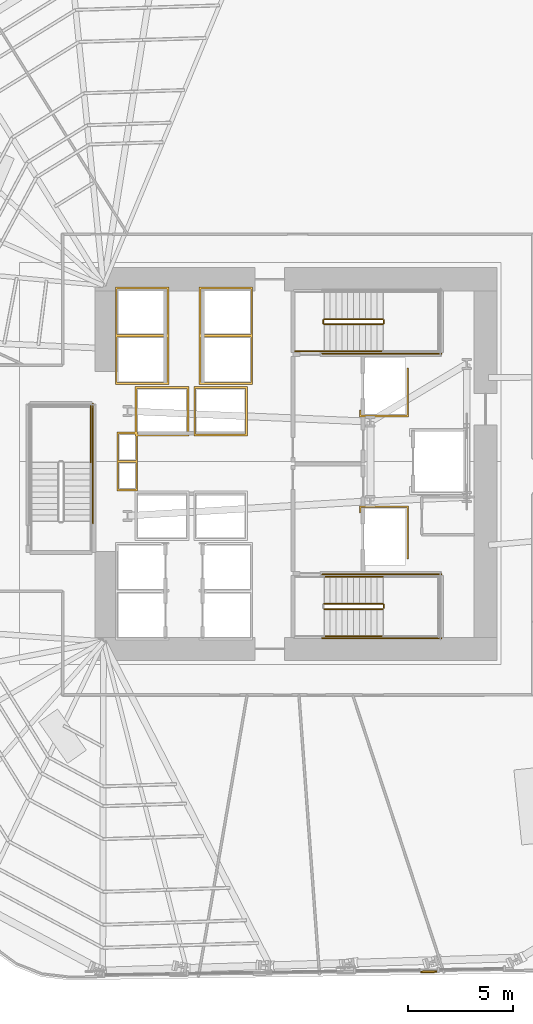
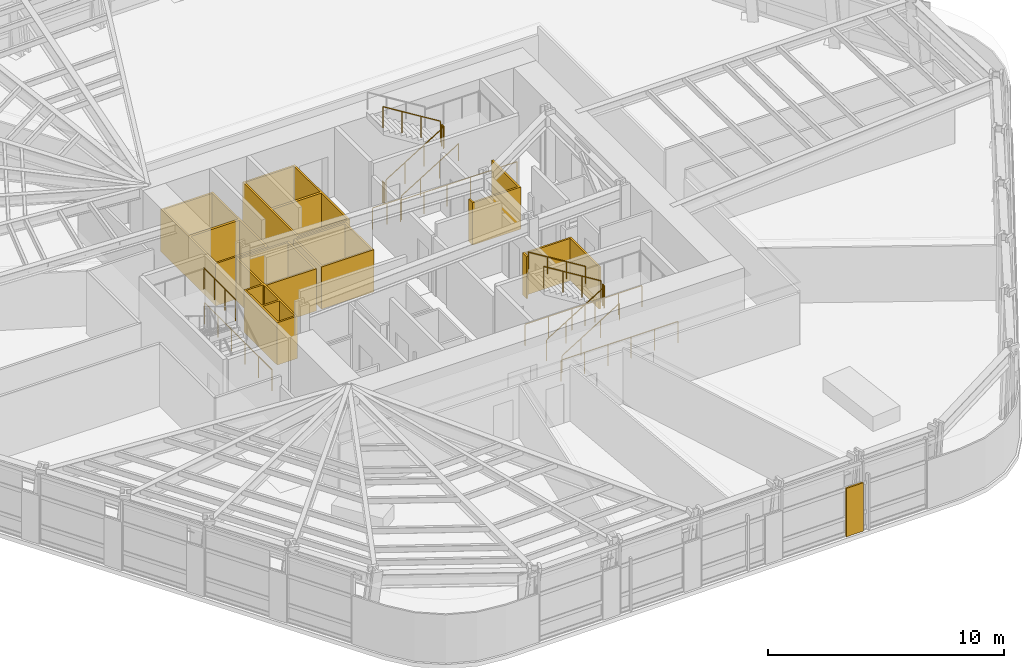
# One storey, part 12 of 15: 16 railings, 7 coverings.
"""IFC4 building model written with IfcOpenShell, lengths in metres."""

from ifc_helpers import new_model, si_unit, direction, frame, origin, origin_2d, place, context, subcontext, project, spatial, polyline, circle, outline, extrude, material, layer, layer_set, type_object, element, save


model = new_model("IFC4")

# Units and contexts
model_context = context("Model", 3, precision=1e-05, world=origin(), true_north=direction((0.0, 1.0)))
body_context = subcontext(model_context, "Body", "Model", "MODEL_VIEW")
ifc_project = project(units=[si_unit("LENGTHUNIT", "METRE"), si_unit("AREAUNIT", "SQUARE_METRE"), si_unit("VOLUMEUNIT", "CUBIC_METRE"), si_unit("PLANEANGLEUNIT", "RADIAN"), si_unit("MASSUNIT", "GRAM", prefix="KILO")], contexts=[model_context])

# Site, building, storey
site_placement = place(None, origin())
site = spatial("IfcSite", under=ifc_project, at=site_placement, CompositionType="ELEMENT")
building_placement = place(site_placement, origin())
building = spatial("IfcBuilding", under=site, at=building_placement, Name="Valkerne Bourse Tower", CompositionType="ELEMENT")
storey_placement = place(building_placement, frame((0.0, 0.0, 27.800048828125)))
storey = spatial("IfcBuildingStorey", under=building, at=storey_placement, Name="L06", CompositionType="ELEMENT", Elevation=27.800048828125)

# Coverings
ifc_material_1 = material(Name="Bronze Anodised Aluminium AA 6063-T6", Category="aluminium")
ifc_layer_1 = layer(ifc_material_1, 0.06005859375)
ifc_layer_set_1 = layer_set([ifc_layer_1], Name="Bronze Anodised Aluminium AA 6063-T6")
covering_type_1 = type_object("IfcCoveringType", Name="COV-CRN-ALUM", PredefinedType="CLADDING", material=ifc_layer_set_1)
covering_1_placement = place(storey_placement, origin())
element("IfcCovering", 1, at=covering_1_placement, inside=storey, type_object=covering_type_1, Name="L06 Wind-Shaped Corner Aluminium Cladding 02", PredefinedType="CLADDING", context=body_context, shape_type="SweptSolid", body=[
    extrude(outline(polyline([(52.75830078125, 2.580322265625), (52.757080078125, 2.660400390625), (53.596923828125, 2.6728515625), (53.59814453125, 2.5927734375), (52.75830078125, 2.580322265625)])), origin(), (0.0, 0.0, 1.0), 2.5),
])
ifc_material_2 = material(Name="Gypsum Shaftwall Liner Board", Category="gypsum")
ifc_layer_2 = layer(ifc_material_2, 0.080078125)
ifc_layer_set_2 = layer_set([ifc_layer_2], Name="Gypsum Shaftwall Liner Board")
covering_type_2 = type_object("IfcCoveringType", Name="COV-SHF-CLAD", PredefinedType="CLADDING", material=ifc_layer_set_2)
covering_2_placement = place(storey_placement, origin())
element("IfcCovering", 2, at=covering_2_placement, inside=storey, type_object=covering_type_2, Name="L06 Hoistway & Riser Shaftwall Liner 04", PredefinedType="CLADDING", context=body_context, shape_type="SweptSolid", body=[
    extrude(outline(polyline([(38.239990234375, 28.409912109375), (39.1201171875, 28.409912109375), (39.1201171875, 30.580078125), (41.679931640625, 30.580078125), (41.679931640625, 28.219970703125), (39.239990234375, 28.219970703125), (39.239990234375, 27.0400390625), (39.239990234375, 26.9599609375), (39.239990234375, 25.590087890625), (38.239990234375, 25.590087890625), (38.239990234375, 26.9599609375), (38.239990234375, 27.0400390625), (38.239990234375, 28.409912109375)]), holes=[polyline([(39.2099609375, 30.489990234375), (39.2099609375, 28.409912109375), (39.239990234375, 28.409912109375), (39.239990234375, 28.31005859375), (41.590087890625, 28.31005859375), (41.590087890625, 30.489990234375), (39.2099609375, 30.489990234375)]), polyline([(38.330078125, 26.949951171875), (38.330078125, 25.679931640625), (39.14990234375, 25.679931640625), (39.14990234375, 26.949951171875), (38.330078125, 26.949951171875)]), polyline([(39.1201171875, 28.219970703125), (39.1201171875, 28.320068359375), (38.330078125, 28.320068359375), (38.330078125, 27.050048828125), (39.14990234375, 27.050048828125), (39.14990234375, 28.219970703125), (39.1201171875, 28.219970703125)])]), origin(), (0.0, 0.0, 1.0), 2.179931640625),
])
covering_3_placement = place(storey_placement, origin())
element("IfcCovering", 3, at=covering_3_placement, inside=storey, type_object=covering_type_2, Name="L06 Hoistway & Riser Shaftwall Liner 05", PredefinedType="CLADDING", context=body_context, shape_type="SweptSolid", body=[
    extrude(outline(polyline([(38.169921875, 35.330078125), (40.72998046875, 35.330078125), (40.72998046875, 33.030029296875), (40.72998046875, 32.969970703125), (40.72998046875, 30.669921875), (38.169921875, 30.669921875), (38.169921875, 32.969970703125), (38.169921875, 33.030029296875), (38.169921875, 35.330078125)]), holes=[polyline([(38.260009765625, 32.93994140625), (38.260009765625, 30.760009765625), (40.639892578125, 30.760009765625), (40.639892578125, 32.93994140625), (38.260009765625, 32.93994140625)]), polyline([(38.260009765625, 35.239990234375), (38.260009765625, 33.06005859375), (40.639892578125, 33.06005859375), (40.639892578125, 35.239990234375), (38.260009765625, 35.239990234375)])]), origin(), (0.0, 0.0, 1.0), 2.179931640625),
])
covering_4_placement = place(storey_placement, origin())
element("IfcCovering", 4, at=covering_4_placement, inside=storey, type_object=covering_type_2, Name="L06 Hoistway & Riser Shaftwall Liner 07", PredefinedType="CLADDING", context=body_context, shape_type="SweptSolid", body=[
    extrude(outline(polyline([(52.179931640625, 22.35009765625), (52.090087890625, 22.35009765625), (52.090087890625, 24.7900390625), (49.909912109375, 24.7900390625), (49.909912109375, 24.560791015625), (49.869384765625, 24.550537109375), (49.827880859375, 24.53564453125), (49.820068359375, 24.531982421875), (49.820068359375, 24.8798828125), (52.179931640625, 24.8798828125), (52.179931640625, 22.35009765625)])), origin(), (0.0, 0.0, 1.0), 2.179931640625),
])
covering_5_placement = place(storey_placement, origin())
element("IfcCovering", 5, at=covering_5_placement, inside=storey, type_object=covering_type_2, Name="L06 Hoistway & Riser Shaftwall Liner 09", PredefinedType="CLADDING", context=body_context, shape_type="SweptSolid", body=[
    extrude(outline(polyline([(44.47998046875, 28.219970703125), (41.919921875, 28.219970703125), (41.919921875, 30.580078125), (44.47998046875, 30.580078125), (44.47998046875, 28.219970703125)]), holes=[polyline([(42.010009765625, 30.489990234375), (42.010009765625, 28.31005859375), (44.389892578125, 28.31005859375), (44.389892578125, 30.489990234375), (42.010009765625, 30.489990234375)])]), origin(), (0.0, 0.0, 1.0), 2.179931640625),
])
covering_6_placement = place(storey_placement, origin())
element("IfcCovering", 6, at=covering_6_placement, inside=storey, type_object=covering_type_2, Name="L06 Hoistway & Riser Shaftwall Liner 10", PredefinedType="CLADDING", context=body_context, shape_type="SweptSolid", body=[
    extrude(outline(polyline([(49.820068359375, 29.1201171875), (49.820068359375, 29.468017578125), (49.827880859375, 29.46435546875), (49.869384765625, 29.449462890625), (49.909912109375, 29.439208984375), (49.909912109375, 29.2099609375), (52.090087890625, 29.2099609375), (52.090087890625, 31.449951171875), (52.179931640625, 31.449951171875), (52.179931640625, 29.1201171875), (49.820068359375, 29.1201171875)])), origin(), (0.0, 0.0, 1.0), 2.179931640625),
])
covering_7_placement = place(storey_placement, origin())
element("IfcCovering", 7, at=covering_7_placement, inside=storey, type_object=covering_type_2, Name="L06 Hoistway & Riser Shaftwall Liner 11", PredefinedType="CLADDING", context=body_context, shape_type="SweptSolid", body=[
    extrude(outline(polyline([(44.72998046875, 35.330078125), (44.72998046875, 33.030029296875), (44.72998046875, 32.969970703125), (44.72998046875, 30.669921875), (42.169921875, 30.669921875), (42.169921875, 32.969970703125), (42.169921875, 33.030029296875), (42.169921875, 35.330078125), (44.72998046875, 35.330078125)]), holes=[polyline([(42.260009765625, 30.760009765625), (44.639892578125, 30.760009765625), (44.639892578125, 32.93994140625), (42.260009765625, 32.93994140625), (42.260009765625, 30.760009765625)]), polyline([(42.260009765625, 33.06005859375), (44.639892578125, 33.06005859375), (44.639892578125, 35.239990234375), (42.260009765625, 35.239990234375), (42.260009765625, 33.06005859375)])]), origin(), (0.0, 0.0, 1.0), 2.179931640625),
])

# Railings
ifc_material_3 = material(Name="Galvanised Painted Steel", Category="steel")
railing_type_1 = type_object("IfcRailingType", Name="RLG-ST-GUARD-1120", PredefinedType="GUARDRAIL", material=ifc_material_3)
railing_1_placement = place(storey_placement, frame((48.14990234375, 19.949951171875, 0.172607421875)))
element("IfcRailing", 8, at=railing_1_placement, inside=storey, type_object=railing_type_1, Name="L06 ST-1 stair guard 1", PredefinedType="GUARDRAIL", context=body_context, shape_type="SweptSolid", body=[
    extrude(circle(Radius=0.02392578125, at=origin_2d()), frame((0.0, 0.0, 1.09619140625), z_axis=(0.851089632645, 0.0, 0.525020415988), x_axis=(0.0, 1.0, 0.0)), (0.0, 0.0, 1.0), 3.2900390625),
    extrude(circle(Radius=0.02099609375, at=origin_2d()), origin(), (0.0, 0.0, 1.0), 1.072021484375),
    extrude(circle(Radius=0.02099609375, at=origin_2d()), frame((0.933349609375, 0.0, 0.57568359375)), (0.0, 0.0, 1.0), 1.072021484375),
    extrude(circle(Radius=0.02099609375, at=origin_2d()), frame((1.86669921875, 0.0, 1.151611328125)), (0.0, 0.0, 1.0), 1.072021484375),
    extrude(circle(Radius=0.02099609375, at=origin_2d()), frame((2.800048828125, 0.0, 1.727294921875)), (0.0, 0.0, 1.0), 1.072021484375),
])
railing_2_placement = place(storey_placement, frame((51.0, 20.0, 1.89990234375)))
element("IfcRailing", 9, at=railing_2_placement, inside=storey, type_object=railing_type_1, Name="L06 ST-1 stair guard 2", PredefinedType="GUARDRAIL", context=body_context, shape_type="SweptSolid", body=[
    extrude(circle(Radius=0.02392578125, at=origin_2d()), frame((0.0, 0.0, 1.09619140625), z_axis=(0.0, 1.0, 0.0), x_axis=(-1.0, 0.0, 0.0)), (0.0, 0.0, 1.0), 0.14990234375),
    extrude(circle(Radius=0.02099609375, at=origin_2d()), origin(), (0.0, 0.0, 1.0), 1.072021484375),
    extrude(circle(Radius=0.02099609375, at=origin_2d()), frame((0.0, 0.14990234375, 0.0)), (0.0, 0.0, 1.0), 1.072021484375),
])
railing_3_placement = place(storey_placement, frame((50.949951171875, 20.199951171875, 2.07275390625)))
element("IfcRailing", 10, at=railing_3_placement, inside=storey, type_object=railing_type_1, Name="L06 ST-1 stair guard 6", PredefinedType="GUARDRAIL", context=body_context, shape_type="SweptSolid", body=[
    extrude(circle(Radius=0.02392578125, at=origin_2d()), frame((0.0, 0.0, 1.09619140625), z_axis=(-0.851089632645, 0.0, 0.525020415988), x_axis=(0.0, -1.0, 0.0)), (0.0, 0.0, 1.0), 3.2900390625),
    extrude(circle(Radius=0.02099609375, at=origin_2d()), origin(), (0.0, 0.0, 1.0), 1.072021484375),
    extrude(circle(Radius=0.02099609375, at=origin_2d()), frame((-0.933349609375, 0.0, 0.57568359375)), (0.0, 0.0, 1.0), 1.072021484375),
    extrude(circle(Radius=0.02099609375, at=origin_2d()), frame((-1.86669921875, 0.0, 1.151611328125)), (0.0, 0.0, 1.0), 1.072021484375),
    extrude(circle(Radius=0.02099609375, at=origin_2d()), frame((-2.800048828125, 0.0, 1.727294921875)), (0.0, 0.0, 1.0), 1.072021484375),
])
for number, where, name in (
    (11, (48.050048828125, 18.550048828125, 0.0), "L06 ST-1 stair guard 10"),
    (12, (48.050048828125, 21.60009765625, 0.0), "L06 ST-1 stair guard 11"),
):
    element("IfcRailing", number, at=place(storey_placement, frame(where)), inside=storey, type_object=railing_type_1, Name=name, PredefinedType="GUARDRAIL", context=body_context, shape_type="SweptSolid", body=[
        extrude(circle(Radius=0.02392578125, at=origin_2d()), frame((0.0, 0.0, 1.09619140625), z_axis=(1.0, 0.0, 0.0), x_axis=(0.0, 1.0, 0.0)), (0.0, 0.0, 1.0), 5.699951171875),
        extrude(circle(Radius=0.02099609375, at=origin_2d()), origin(), (0.0, 0.0, 1.0), 1.072021484375),
        extrude(circle(Radius=0.02099609375, at=origin_2d()), frame((1.139892578125, 0.0, 0.0)), (0.0, 0.0, 1.0), 1.072021484375),
        extrude(circle(Radius=0.02099609375, at=origin_2d()), frame((2.280029296875, 0.0, 0.0)), (0.0, 0.0, 1.0), 1.072021484375),
        extrude(circle(Radius=0.02099609375, at=origin_2d()), frame((3.419921875, 0.0, 0.0)), (0.0, 0.0, 1.0), 1.072021484375),
        extrude(circle(Radius=0.02099609375, at=origin_2d()), frame((4.56005859375, 0.0, 0.0)), (0.0, 0.0, 1.0), 1.072021484375),
        extrude(circle(Radius=0.02099609375, at=origin_2d()), frame((5.699951171875, 0.0, 0.0)), (0.0, 0.0, 1.0), 1.072021484375),
    ])
railing_4_placement = place(storey_placement, frame((48.14990234375, 33.550048828125, 0.172607421875)))
element("IfcRailing", 13, at=railing_4_placement, inside=storey, type_object=railing_type_1, Name="L06 ST-2 stair guard 1", PredefinedType="GUARDRAIL", context=body_context, shape_type="SweptSolid", body=[
    extrude(circle(Radius=0.02392578125, at=origin_2d()), frame((0.0, 0.0, 1.09619140625), z_axis=(0.851089632645, 0.0, 0.525020415988), x_axis=(0.0, 1.0, 0.0)), (0.0, 0.0, 1.0), 3.2900390625),
    extrude(circle(Radius=0.02099609375, at=origin_2d()), origin(), (0.0, 0.0, 1.0), 1.072021484375),
    extrude(circle(Radius=0.02099609375, at=origin_2d()), frame((0.933349609375, 0.0, 0.57568359375)), (0.0, 0.0, 1.0), 1.072021484375),
    extrude(circle(Radius=0.02099609375, at=origin_2d()), frame((1.86669921875, 0.0, 1.151611328125)), (0.0, 0.0, 1.0), 1.072021484375),
    extrude(circle(Radius=0.02099609375, at=origin_2d()), frame((2.800048828125, 0.0, 1.727294921875)), (0.0, 0.0, 1.0), 1.072021484375),
])
railing_5_placement = place(storey_placement, frame((51.0, 33.60009765625, 1.89990234375)))
element("IfcRailing", 14, at=railing_5_placement, inside=storey, type_object=railing_type_1, Name="L06 ST-2 stair guard 2", PredefinedType="GUARDRAIL", context=body_context, shape_type="SweptSolid", body=[
    extrude(circle(Radius=0.02392578125, at=origin_2d()), frame((0.0, 0.0, 1.09619140625), z_axis=(0.0, 1.0, 0.0), x_axis=(-1.0, 0.0, 0.0)), (0.0, 0.0, 1.0), 0.14990234375),
    extrude(circle(Radius=0.02099609375, at=origin_2d()), origin(), (0.0, 0.0, 1.0), 1.072021484375),
    extrude(circle(Radius=0.02099609375, at=origin_2d()), frame((0.0, 0.14990234375, 0.0)), (0.0, 0.0, 1.0), 1.072021484375),
])
railing_6_placement = place(storey_placement, frame((50.949951171875, 33.800048828125, 2.07275390625)))
element("IfcRailing", 15, at=railing_6_placement, inside=storey, type_object=railing_type_1, Name="L06 ST-2 stair guard 6", PredefinedType="GUARDRAIL", context=body_context, shape_type="SweptSolid", body=[
    extrude(circle(Radius=0.02392578125, at=origin_2d()), frame((0.0, 0.0, 1.09619140625), z_axis=(-0.851089632645, 0.0, 0.525020415988), x_axis=(0.0, -1.0, 0.0)), (0.0, 0.0, 1.0), 3.2900390625),
    extrude(circle(Radius=0.02099609375, at=origin_2d()), origin(), (0.0, 0.0, 1.0), 1.072021484375),
    extrude(circle(Radius=0.02099609375, at=origin_2d()), frame((-0.933349609375, 0.0, 0.57568359375)), (0.0, 0.0, 1.0), 1.072021484375),
    extrude(circle(Radius=0.02099609375, at=origin_2d()), frame((-1.86669921875, 0.0, 1.151611328125)), (0.0, 0.0, 1.0), 1.072021484375),
    extrude(circle(Radius=0.02099609375, at=origin_2d()), frame((-2.800048828125, 0.0, 1.727294921875)), (0.0, 0.0, 1.0), 1.072021484375),
])
railing_7_placement = place(storey_placement, frame((48.10009765625, 33.60009765625, 0.0)))
element("IfcRailing", 16, at=railing_7_placement, inside=storey, type_object=railing_type_1, Name="L06 ST-2 stair guard 7", PredefinedType="GUARDRAIL", context=body_context, shape_type="SweptSolid", body=[
    extrude(circle(Radius=0.02392578125, at=origin_2d()), frame((0.0, 0.0, 1.09619140625), z_axis=(0.0, 1.0, 0.0), x_axis=(-1.0, 0.0, 0.0)), (0.0, 0.0, 1.0), 0.14990234375),
    extrude(circle(Radius=0.02099609375, at=origin_2d()), origin(), (0.0, 0.0, 1.0), 1.072021484375),
    extrude(circle(Radius=0.02099609375, at=origin_2d()), frame((0.0, 0.14990234375, 0.0)), (0.0, 0.0, 1.0), 1.072021484375),
])
railing_8_placement = place(storey_placement, frame((46.75, 32.25, 0.0)))
element("IfcRailing", 17, at=railing_8_placement, inside=storey, type_object=railing_type_1, Name="L06 ST-2 stair guard 8", PredefinedType="GUARDRAIL", context=body_context, shape_type="SweptSolid", body=[
    extrude(circle(Radius=0.02392578125, at=origin_2d()), frame((0.0, 0.0, 1.09619140625), z_axis=(1.0, 0.0, 0.0), x_axis=(0.0, 1.0, 0.0)), (0.0, 0.0, 1.0), 1.39990234375),
    extrude(circle(Radius=0.02099609375, at=origin_2d()), origin(), (0.0, 0.0, 1.0), 1.072021484375),
    extrude(circle(Radius=0.02099609375, at=origin_2d()), frame((0.699951171875, 0.0, 0.0)), (0.0, 0.0, 1.0), 1.072021484375),
    extrude(circle(Radius=0.02099609375, at=origin_2d()), frame((1.39990234375, 0.0, 0.0)), (0.0, 0.0, 1.0), 1.072021484375),
])
railing_9_placement = place(storey_placement, frame((48.050048828125, 32.14990234375, 0.0)))
element("IfcRailing", 18, at=railing_9_placement, inside=storey, type_object=railing_type_1, Name="L06 ST-2 stair guard 10", PredefinedType="GUARDRAIL", context=body_context, shape_type="SweptSolid", body=[
    extrude(circle(Radius=0.02392578125, at=origin_2d()), frame((0.0, 0.0, 1.09619140625), z_axis=(1.0, 0.0, 0.0), x_axis=(0.0, 1.0, 0.0)), (0.0, 0.0, 1.0), 5.699951171875),
    extrude(circle(Radius=0.02099609375, at=origin_2d()), origin(), (0.0, 0.0, 1.0), 1.072021484375),
    extrude(circle(Radius=0.02099609375, at=origin_2d()), frame((1.139892578125, 0.0, 0.0)), (0.0, 0.0, 1.0), 1.072021484375),
    extrude(circle(Radius=0.02099609375, at=origin_2d()), frame((2.280029296875, 0.0, 0.0)), (0.0, 0.0, 1.0), 1.072021484375),
    extrude(circle(Radius=0.02099609375, at=origin_2d()), frame((3.419921875, 0.0, 0.0)), (0.0, 0.0, 1.0), 1.072021484375),
    extrude(circle(Radius=0.02099609375, at=origin_2d()), frame((4.56005859375, 0.0, 0.0)), (0.0, 0.0, 1.0), 1.072021484375),
    extrude(circle(Radius=0.02099609375, at=origin_2d()), frame((5.699951171875, 0.0, 0.0)), (0.0, 0.0, 1.0), 1.072021484375),
])
railing_10_placement = place(storey_placement, frame((37.0, 26.949951171875, 1.89990234375)))
element("IfcRailing", 19, at=railing_10_placement, inside=storey, type_object=railing_type_1, Name="L06 ST-3 stair guard 3", PredefinedType="GUARDRAIL", context=body_context, shape_type="SweptSolid", body=[
    extrude(circle(Radius=0.02392578125, at=origin_2d()), frame((0.0, 0.0, 1.09619140625), z_axis=(0.0, 1.0, 0.0), x_axis=(-1.0, 0.0, 0.0)), (0.0, 0.0, 1.0), 2.699951171875),
    extrude(circle(Radius=0.02099609375, at=origin_2d()), origin(), (0.0, 0.0, 1.0), 1.072021484375),
    extrude(circle(Radius=0.02099609375, at=origin_2d()), frame((0.0, 0.89990234375, 0.0)), (0.0, 0.0, 1.0), 1.072021484375),
    extrude(circle(Radius=0.02099609375, at=origin_2d()), frame((0.0, 1.800048828125, 0.0)), (0.0, 0.0, 1.0), 1.072021484375),
    extrude(circle(Radius=0.02099609375, at=origin_2d()), frame((0.0, 2.699951171875, 0.0)), (0.0, 0.0, 1.0), 1.072021484375),
])
railing_11_placement = place(storey_placement, frame((37.10009765625, 24.050048828125, 0.0)))
element("IfcRailing", 20, at=railing_11_placement, inside=storey, type_object=railing_type_1, Name="L06 ST-3 stair guard 10", PredefinedType="GUARDRAIL", context=body_context, shape_type="SweptSolid", body=[
    extrude(circle(Radius=0.02392578125, at=origin_2d()), frame((0.0, 0.0, 1.09619140625), z_axis=(0.0, 1.0, 0.0), x_axis=(-1.0, 0.0, 0.0)), (0.0, 0.0, 1.0), 5.699951171875),
    extrude(circle(Radius=0.02099609375, at=origin_2d()), origin(), (0.0, 0.0, 1.0), 1.072021484375),
    extrude(circle(Radius=0.02099609375, at=origin_2d()), frame((0.0, 1.139892578125, 0.0)), (0.0, 0.0, 1.0), 1.072021484375),
    extrude(circle(Radius=0.02099609375, at=origin_2d()), frame((0.0, 2.280029296875, 0.0)), (0.0, 0.0, 1.0), 1.072021484375),
    extrude(circle(Radius=0.02099609375, at=origin_2d()), frame((0.0, 3.419921875, 0.0)), (0.0, 0.0, 1.0), 1.072021484375),
    extrude(circle(Radius=0.02099609375, at=origin_2d()), frame((0.0, 4.56005859375, 0.0)), (0.0, 0.0, 1.0), 1.072021484375),
    extrude(circle(Radius=0.02099609375, at=origin_2d()), frame((0.0, 5.699951171875, 0.0)), (0.0, 0.0, 1.0), 1.072021484375),
])
ifc_material_4 = material(Name="Stainless Steel AISI 316", Category="steel")
railing_type_2 = type_object("IfcRailingType", Name="RLG-ST-HANDRAIL-900", PredefinedType="HANDRAIL", material=ifc_material_4)
railing_12_placement = place(storey_placement, frame((48.14990234375, 18.64990234375, 0.345458984375)))
element("IfcRailing", 21, at=railing_12_placement, inside=storey, type_object=railing_type_2, Name="L06 ST-1 stair handrail 1", PredefinedType="HANDRAIL", context=body_context, shape_type="SweptSolid", body=[
    extrude(circle(Radius=0.02392578125, at=origin_2d()), frame((0.0, 0.0, 0.8759765625), z_axis=(0.851089632645, 0.0, 0.525020415988), x_axis=(0.0, 1.0, 0.0)), (0.0, 0.0, 1.0), 3.2900390625),
    extrude(circle(Radius=0.02099609375, at=origin_2d()), origin(), (0.0, 0.0, 1.0), 0.851806640625),
    extrude(circle(Radius=0.02099609375, at=origin_2d()), frame((0.933349609375, 0.0, 0.57568359375)), (0.0, 0.0, 1.0), 0.851806640625),
    extrude(circle(Radius=0.02099609375, at=origin_2d()), frame((1.86669921875, 0.0, 1.151611328125)), (0.0, 0.0, 1.0), 0.851806640625),
    extrude(circle(Radius=0.02099609375, at=origin_2d()), frame((2.800048828125, 0.0, 1.727294921875)), (0.0, 0.0, 1.0), 0.851806640625),
])
railing_13_placement = place(storey_placement, frame((50.949951171875, 21.5, 2.245361328125)))
element("IfcRailing", 22, at=railing_13_placement, inside=storey, type_object=railing_type_2, Name="L06 ST-1 stair handrail 2", PredefinedType="HANDRAIL", context=body_context, shape_type="SweptSolid", body=[
    extrude(circle(Radius=0.02392578125, at=origin_2d()), frame((0.0, 0.0, 0.8759765625), z_axis=(-0.851089632645, 0.0, 0.525020415988), x_axis=(0.0, -1.0, 0.0)), (0.0, 0.0, 1.0), 3.2900390625),
    extrude(circle(Radius=0.02099609375, at=origin_2d()), origin(), (0.0, 0.0, 1.0), 0.851806640625),
    extrude(circle(Radius=0.02099609375, at=origin_2d()), frame((-0.933349609375, 0.0, 0.57568359375)), (0.0, 0.0, 1.0), 0.851806640625),
    extrude(circle(Radius=0.02099609375, at=origin_2d()), frame((-1.86669921875, 0.0, 1.151611328125)), (0.0, 0.0, 1.0), 0.851806640625),
    extrude(circle(Radius=0.02099609375, at=origin_2d()), frame((-2.800048828125, 0.0, 1.727294921875)), (0.0, 0.0, 1.0), 0.851806640625),
])
railing_14_placement = place(storey_placement, frame((48.14990234375, 32.25, 0.345458984375)))
element("IfcRailing", 23, at=railing_14_placement, inside=storey, type_object=railing_type_2, Name="L06 ST-2 stair handrail 1", PredefinedType="HANDRAIL", context=body_context, shape_type="SweptSolid", body=[
    extrude(circle(Radius=0.02392578125, at=origin_2d()), frame((0.0, 0.0, 0.8759765625), z_axis=(0.851089632645, 0.0, 0.525020415988), x_axis=(0.0, 1.0, 0.0)), (0.0, 0.0, 1.0), 3.2900390625),
    extrude(circle(Radius=0.02099609375, at=origin_2d()), origin(), (0.0, 0.0, 1.0), 0.851806640625),
    extrude(circle(Radius=0.02099609375, at=origin_2d()), frame((0.933349609375, 0.0, 0.57568359375)), (0.0, 0.0, 1.0), 0.851806640625),
    extrude(circle(Radius=0.02099609375, at=origin_2d()), frame((1.86669921875, 0.0, 1.151611328125)), (0.0, 0.0, 1.0), 0.851806640625),
    extrude(circle(Radius=0.02099609375, at=origin_2d()), frame((2.800048828125, 0.0, 1.727294921875)), (0.0, 0.0, 1.0), 0.851806640625),
])

save(model, "model.ifc")
